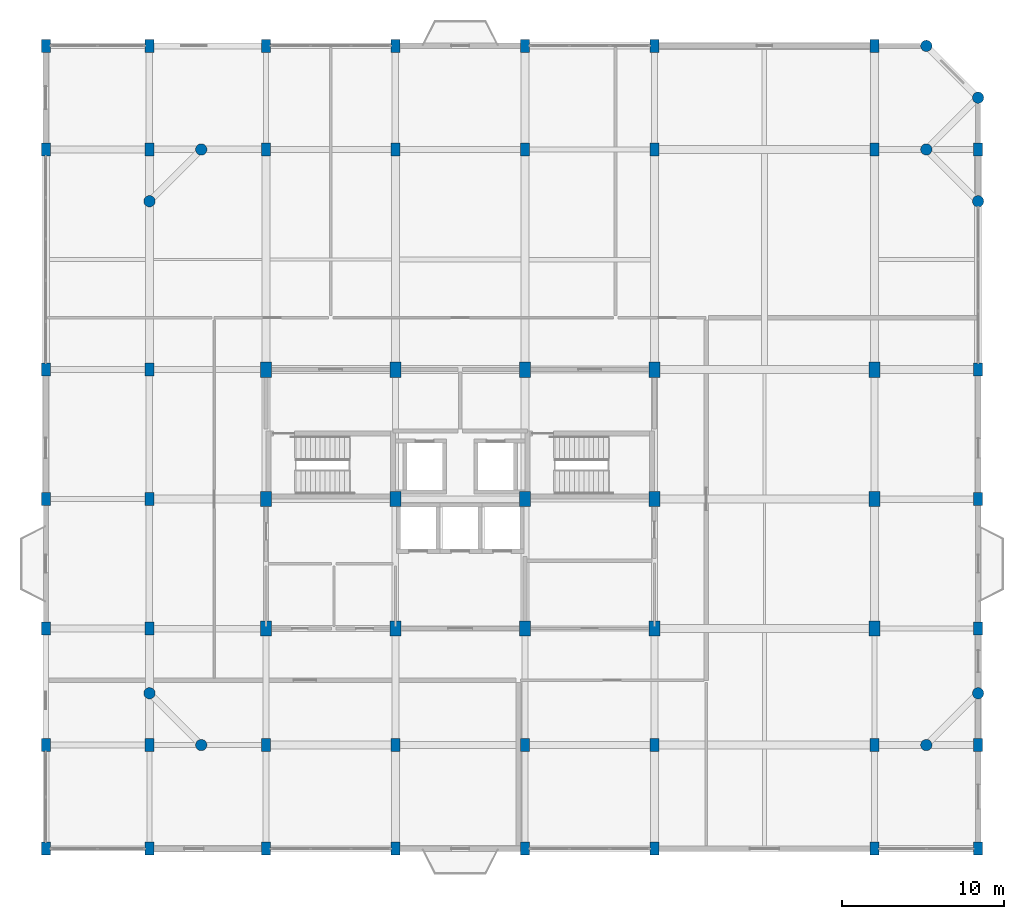
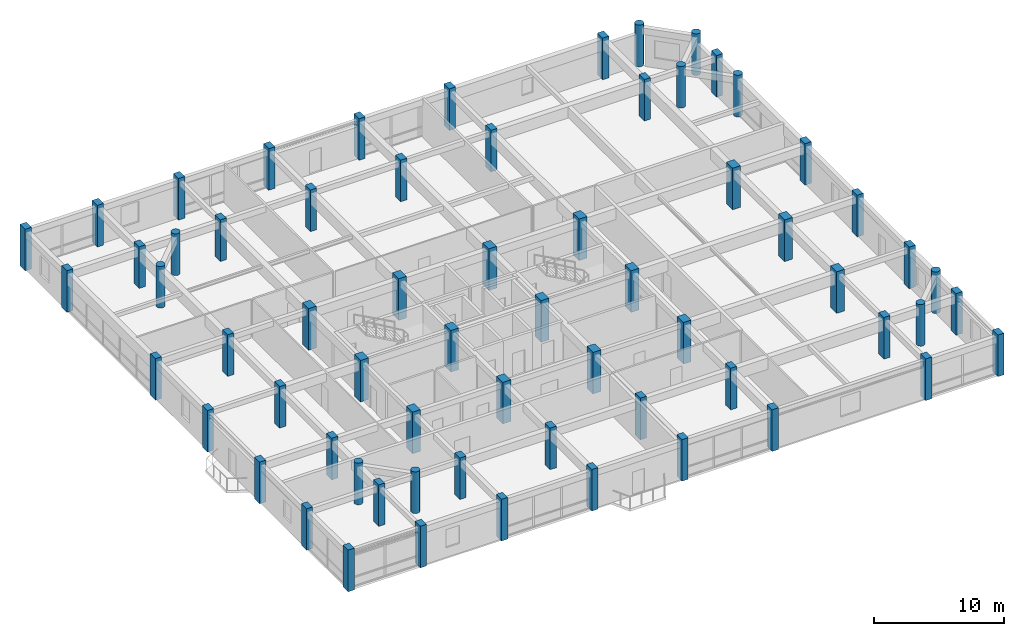
# One storey, part 1 of 15: 65 columns.
"""IFC4 building model written with IfcOpenShell, lengths in metres."""

from ifc_helpers import new_model, si_unit, direction, frame, origin, origin_2d, place, context, subcontext, project, spatial, rectangle, circle, extrude, material, material_profile, profile_set, type_object, element, save


model = new_model("IFC4")

# Units and contexts
model_context = context("Model", 3, precision=1e-05, world=origin(), true_north=direction((0.0, 1.0)))
body_context = subcontext(model_context, "Body", "Model", "MODEL_VIEW")
ifc_project = project(units=[si_unit("LENGTHUNIT", "METRE"), si_unit("AREAUNIT", "SQUARE_METRE"), si_unit("VOLUMEUNIT", "CUBIC_METRE"), si_unit("PLANEANGLEUNIT", "RADIAN"), si_unit("MASSUNIT", "GRAM", prefix="KILO")], contexts=[model_context])

# Site, building, storey
site_placement = place(None, origin())
site = spatial("IfcSite", under=ifc_project, at=site_placement, CompositionType="ELEMENT")
building_placement = place(site_placement, origin())
building = spatial("IfcBuilding", under=site, at=building_placement, Name="Vellmiral Cinema and Media Centre", CompositionType="ELEMENT")
storey_placement = place(building_placement, frame((0.0, 0.0, 35.60009765625)))
storey = spatial("IfcBuildingStorey", under=building, at=storey_placement, Name="L08", CompositionType="ELEMENT", Elevation=35.60009765625)

# Columns
ifc_material_1 = material(Name="Concrete C40/50", Category="concrete")
ifc_material_profile_1 = material_profile(ifc_material_1, rectangle(XDim=0.550048828125, YDim=0.800048828125, at=origin_2d()), Name="RC 550x800")
ifc_profile_set_1 = profile_set([ifc_material_profile_1], Name="Concrete C40/50")
column_type_1 = type_object("IfcColumnType", Name="COL-RC-550x800", PredefinedType="COLUMN", material=ifc_profile_set_1)
for number, where, z_axis, x_axis, name in (
    (1, (110.39990234375, 65.60009765625, 0.0), (0.0, 0.0, 1.0), (1.0, 0.0, 0.0), "Column L08-001"),
    (2, (110.39990234375, 72.0, 0.0), (0.0, 0.0, 1.0), (1.0, 0.0, 0.0), "Column L08-002"),
    (3, (110.39990234375, 79.199951171875, 0.0), (0.0, 0.0, 1.0), (1.0, 0.0, 0.0), "Column L08-003"),
    (4, (110.39990234375, 87.199951171875, 0.0), (0.0, 0.0, 1.0), (1.0, 0.0, 0.0), "Column L08-004"),
    (5, (110.39990234375, 95.199951171875, 0.0), (0.0, 0.0, 1.0), (1.0, 0.0, 0.0), "Column L08-005"),
    (6, (110.39990234375, 108.800048828125, 0.0), (0.0, 0.0, 1.0), (1.0, 0.0, 0.0), "Column L08-006"),
    (7, (110.39990234375, 115.199951171875, 0.0), (0.0, 0.0, 1.0), (1.0, 0.0, 0.0), "Column L08-007"),
    (8, (116.800048828125, 65.60009765625, 0.0), (0.0, 0.0, 1.0), (1.0, 0.0, 0.0), "Column L08-008"),
    (9, (116.800048828125, 72.0, 0.0), (0.0, 0.0, 1.0), (1.0, 0.0, 0.0), "Column L08-009"),
    (10, (116.800048828125, 79.199951171875, 0.0), (0.0, 0.0, 1.0), (1.0, 0.0, 0.0), "Column L08-011"),
    (11, (116.800048828125, 87.199951171875, 0.0), (0.0, 0.0, 1.0), (1.0, 0.0, 0.0), "Column L08-012"),
    (12, (116.800048828125, 95.199951171875, 0.0), (0.0, 0.0, 1.0), (1.0, 0.0, 0.0), "Column L08-013"),
    (13, (116.800048828125, 108.800048828125, 0.0), (0.0, 0.0, 1.0), (1.0, 0.0, 0.0), "Column L08-015"),
    (14, (116.800048828125, 115.199951171875, 0.0), (0.0, 0.0, 1.0), (1.0, 0.0, 0.0), "Column L08-016"),
    (15, (124.0, 65.60009765625, 0.0), (0.0, 0.0, 1.0), (1.0, 0.0, 0.0), "Column L08-019"),
    (16, (124.0, 72.0, 0.0), (0.0, 0.0, 1.0), (1.0, 0.0, 0.0), "Column L08-020"),
    (17, (124.0, 108.800048828125, 0.0), (0.0, 0.0, 1.0), (1.0, 0.0, 0.0), "Column L08-024"),
    (18, (124.0, 115.199951171875, 0.0), (0.0, 0.0, 1.0), (1.0, 0.0, 0.0), "Column L08-025"),
    (19, (132.0, 65.60009765625, 0.0), (0.0, 0.0, 1.0), (1.0, 0.0, 0.0), "Column L08-026"),
    (20, (132.0, 72.0, 0.0), (0.0, 0.0, 1.0), (1.0, 0.0, 0.0), "Column L08-027"),
    (21, (132.0, 108.800048828125, 0.0), (0.0, 0.0, 1.0), (1.0, 0.0, 0.0), "Column L08-031"),
    (22, (132.0, 115.199951171875, 0.0), (0.0, 0.0, 1.0), (1.0, 0.0, 0.0), "Column L08-032"),
    (23, (140.0, 65.60009765625, 0.0), (0.0, 0.0, 1.0), (1.0, 0.0, 0.0), "Column L08-033"),
    (24, (140.0, 72.0, 0.0), (0.0, 0.0, 1.0), (1.0, 0.0, 0.0), "Column L08-034"),
    (25, (140.0, 108.800048828125, 0.0), (0.0, 0.0, 1.0), (1.0, 0.0, 0.0), "Column L08-038"),
    (26, (140.0, 115.199951171875, 0.0), (0.0, 0.0, 1.0), (1.0, 0.0, 0.0), "Column L08-039"),
    (27, (148.0, 65.60009765625, 0.0), (0.0, 0.0, 1.0), (1.0, 0.0, 0.0), "Column L08-040"),
    (28, (148.0, 72.0, 0.0), (0.0, 0.0, 1.0), (1.0, 0.0, 0.0), "Column L08-041"),
    (29, (148.0, 108.800048828125, 0.0), (0.0, 0.0, 1.0), (1.0, 0.0, 0.0), "Column L08-045"),
    (30, (148.0, 115.199951171875, 0.0), (0.0, 0.0, 1.0), (1.0, 0.0, 0.0), "Column L08-046"),
    (31, (161.60009765625, 65.60009765625, 0.0), (0.0, 0.0, 1.0), (1.0, 0.0, 0.0), "Column L08-047"),
    (32, (161.60009765625, 72.0, 0.0), (0.0, 0.0, 1.0), (1.0, 0.0, 0.0), "Column L08-048"),
    (33, (161.60009765625, 108.800048828125, 0.0), (0.0, 0.0, 1.0), (1.0, 0.0, 0.0), "Column L08-052"),
    (34, (161.60009765625, 115.199951171875, 0.0), (0.0, 0.0, 1.0), (1.0, 0.0, 0.0), "Column L08-053"),
    (35, (168.0, 65.60009765625, 0.0), (0.0, 0.0, 1.0), (1.0, 0.0, 0.0), "Column L08-057"),
    (36, (168.0, 72.0, 0.0), (0.0, 0.0, 1.0), (1.0, 0.0, 0.0), "Column L08-058"),
    (37, (168.0, 79.199951171875, 0.0), (0.0, 0.0, 1.0), (1.0, 0.0, 0.0), "Column L08-060"),
    (38, (168.0, 87.199951171875, 0.0), (0.0, 0.0, 1.0), (1.0, 0.0, 0.0), "Column L08-061"),
    (39, (168.0, 95.199951171875, 0.0), (0.0, 0.0, 1.0), (1.0, 0.0, 0.0), "Column L08-062"),
    (40, (168.0, 108.800048828125, 0.0), (0.0, 0.0, 1.0), (1.0, 0.0, 0.0), "Column L08-064"),
):
    element("IfcColumn", number, at=place(storey_placement, frame(where, z_axis=z_axis, x_axis=x_axis)), inside=storey, type_object=column_type_1, Name=name, PredefinedType="COLUMN", context=body_context, shape_type="SweptSolid", body=[
        extrude(rectangle(XDim=0.550048828125, YDim=0.800048828125, at=origin_2d()), origin(), (0.0, 0.0, 1.0), 3.89990234375),
    ])
ifc_material_2 = material(Name="Concrete C40/50", Category="concrete")
ifc_material_profile_2 = material_profile(ifc_material_2, rectangle(XDim=0.699951171875, YDim=0.949951171875, at=origin_2d()), Name="RC 700x950")
ifc_profile_set_2 = profile_set([ifc_material_profile_2], Name="Concrete C40/50")
column_type_2 = type_object("IfcColumnType", Name="COL-RC-700x950", PredefinedType="COLUMN", material=ifc_profile_set_2)
for number, where, z_axis, x_axis, name in (
    (41, (124.0, 79.199951171875, 0.0), (0.0, 0.0, 1.0), (1.0, 0.0, 0.0), "Column L08-021"),
    (42, (124.0, 87.199951171875, 0.0), (0.0, 0.0, 1.0), (1.0, 0.0, 0.0), "Column L08-022"),
    (43, (124.0, 95.199951171875, 0.0), (0.0, 0.0, 1.0), (1.0, 0.0, 0.0), "Column L08-023"),
    (44, (132.0, 79.199951171875, 0.0), (0.0, 0.0, 1.0), (1.0, 0.0, 0.0), "Column L08-028"),
    (45, (132.0, 87.199951171875, 0.0), (0.0, 0.0, 1.0), (1.0, 0.0, 0.0), "Column L08-029"),
    (46, (132.0, 95.199951171875, 0.0), (0.0, 0.0, 1.0), (1.0, 0.0, 0.0), "Column L08-030"),
    (47, (140.0, 79.199951171875, 0.0), (0.0, 0.0, 1.0), (1.0, 0.0, 0.0), "Column L08-035"),
    (48, (140.0, 87.199951171875, 0.0), (0.0, 0.0, 1.0), (1.0, 0.0, 0.0), "Column L08-036"),
    (49, (140.0, 95.199951171875, 0.0), (0.0, 0.0, 1.0), (1.0, 0.0, 0.0), "Column L08-037"),
    (50, (148.0, 79.199951171875, 0.0), (0.0, 0.0, 1.0), (1.0, 0.0, 0.0), "Column L08-042"),
    (51, (148.0, 87.199951171875, 0.0), (0.0, 0.0, 1.0), (1.0, 0.0, 0.0), "Column L08-043"),
    (52, (148.0, 95.199951171875, 0.0), (0.0, 0.0, 1.0), (1.0, 0.0, 0.0), "Column L08-044"),
    (53, (161.60009765625, 79.199951171875, 0.0), (0.0, 0.0, 1.0), (1.0, 0.0, 0.0), "Column L08-049"),
    (54, (161.60009765625, 87.199951171875, 0.0), (0.0, 0.0, 1.0), (1.0, 0.0, 0.0), "Column L08-050"),
    (55, (161.60009765625, 95.199951171875, 0.0), (0.0, 0.0, 1.0), (1.0, 0.0, 0.0), "Column L08-051"),
):
    element("IfcColumn", number, at=place(storey_placement, frame(where, z_axis=z_axis, x_axis=x_axis)), inside=storey, type_object=column_type_2, Name=name, PredefinedType="COLUMN", context=body_context, shape_type="SweptSolid", body=[
        extrude(rectangle(XDim=0.699951171875, YDim=0.949951171875, at=origin_2d()), origin(), (0.0, 0.0, 1.0), 3.89990234375),
    ])
ifc_material_3 = material(Name="Concrete C40/50", Category="concrete")
ifc_material_profile_3 = material_profile(ifc_material_3, circle(Radius=0.35009765625, at=origin_2d()), Name="RC D700")
ifc_profile_set_3 = profile_set([ifc_material_profile_3], Name="Concrete C40/50")
column_type_3 = type_object("IfcColumnType", Name="COL-RCC-D700", PredefinedType="COLUMN", material=ifc_profile_set_3)
for number, where, z_axis, x_axis, name in (
    (56, (116.800048828125, 75.199951171875, 0.0), (0.0, 0.0, 1.0), (1.0, 0.0, 0.0), "Column L08-010"),
    (57, (116.800048828125, 105.60009765625, 0.0), (0.0, 0.0, 1.0), (1.0, 0.0, 0.0), "Column L08-014"),
    (58, (120.0, 72.0, 0.0), (0.0, 0.0, 1.0), (1.0, 0.0, 0.0), "Column L08-017"),
    (59, (120.0, 108.800048828125, 0.0), (0.0, 0.0, 1.0), (1.0, 0.0, 0.0), "Column L08-018"),
    (60, (164.800048828125, 72.0, 0.0), (0.0, 0.0, 1.0), (1.0, 0.0, 0.0), "Column L08-054"),
    (61, (164.800048828125, 108.800048828125, 0.0), (0.0, 0.0, 1.0), (1.0, 0.0, 0.0), "Column L08-055"),
    (62, (164.800048828125, 115.199951171875, 0.0), (0.0, 0.0, 1.0), (1.0, 0.0, 0.0), "Column L08-056"),
    (63, (168.0, 75.199951171875, 0.0), (0.0, 0.0, 1.0), (1.0, 0.0, 0.0), "Column L08-059"),
    (64, (168.0, 105.60009765625, 0.0), (0.0, 0.0, 1.0), (1.0, 0.0, 0.0), "Column L08-063"),
    (65, (168.0, 112.0, 0.0), (0.0, 0.0, 1.0), (1.0, 0.0, 0.0), "Column L08-065"),
):
    element("IfcColumn", number, at=place(storey_placement, frame(where, z_axis=z_axis, x_axis=x_axis)), inside=storey, type_object=column_type_3, Name=name, PredefinedType="COLUMN", context=body_context, shape_type="SweptSolid", body=[
        extrude(circle(Radius=0.35009765625, at=origin_2d()), origin(), (0.0, 0.0, 1.0), 3.89990234375),
    ])

save(model, "model.ifc")
